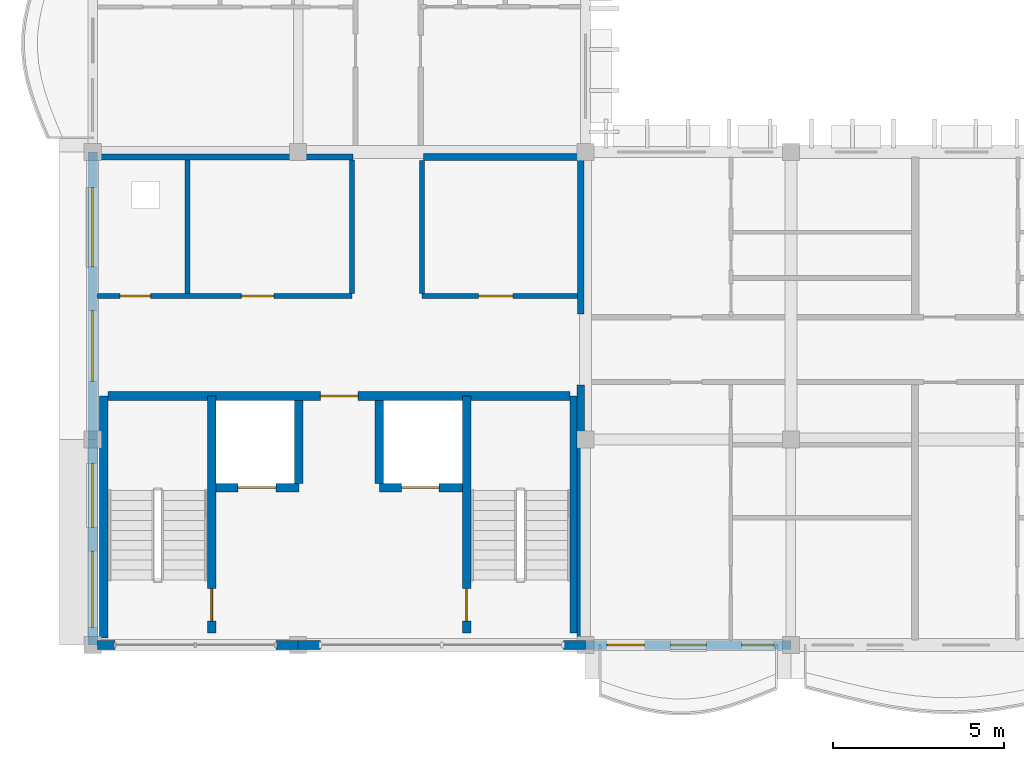
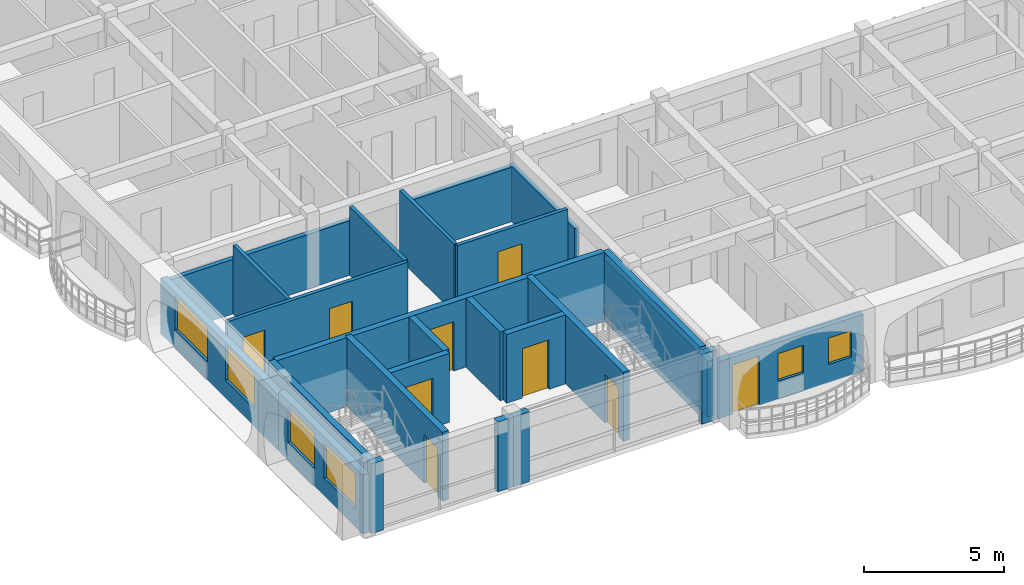
# One storey, part 22 of 68: 25 walls, 9 doors, 6 windows, 15 openings.
"""IFC4 building model written with IfcOpenShell, lengths in metres."""

import ifcopenshell
import ifcopenshell.guid

model = None  # the IFC model being written
_history = None  # IfcOwnerHistory: only IFC2X3 demands one
_inside = {}  # id of a spatial element -> (the spatial element, [elements in it])
_under = {}  # id of a project, library or spatial element -> (it, [spatial elements below it])
_declared = {}  # id of a project -> (the project, [libraries it declares])
_typed = {}  # id of a type object -> (the type object, [elements of that type])
_made_of = {}  # id of a material, layer set ... -> (it, [elements and type objects made of it])


def new_model(schema):
    """Start an empty IFC model of exactly this schema.

    Asked for "IFC4X3", IfcOpenShell would pick the latest addendum, in which some entities
    have other attributes; the version numbers below select the first issue.
    IFC2X3 requires an IfcOwnerHistory on every rooted entity: one is made here for all.
    """
    global model, _history
    if schema == "IFC4X3":
        model = ifcopenshell.file(schema_version=(4, 3, 0, 0))
    else:
        model = ifcopenshell.file(schema=schema)
    _inside.clear()
    _under.clear()
    _declared.clear()
    _typed.clear()
    _made_of.clear()
    _history = None
    if model.schema == "IFC2X3":
        org = make("IfcOrganization", Name="unknown")
        user = make(
            "IfcPersonAndOrganization",
            ThePerson=make("IfcPerson", FamilyName="unknown"),
            TheOrganization=org,
        )
        app = make(
            "IfcApplication",
            ApplicationDeveloper=org,
            Version="unknown",
            ApplicationFullName="unknown",
            ApplicationIdentifier="unknown",
        )
        _history = make(
            "IfcOwnerHistory",
            OwningUser=user,
            OwningApplication=app,
            ChangeAction="ADDED",
            CreationDate=0,
        )
    return model


def make(cls, **values):
    """One entity of the class cls with the attributes given. An attribute that is None is left unset."""
    return model.create_entity(
        cls, **{name: value for name, value in values.items() if value is not None}
    )


def rooted(cls, **values):
    """An entity with a GlobalId (a new one), such as an element, a storey or a relation."""
    return make(cls, GlobalId=ifcopenshell.guid.new(), OwnerHistory=_history, **values)


def si_unit(unit_type, name, prefix=None):
    """IfcSIUnit, for example si_unit("LENGTHUNIT", "METRE", prefix="MILLI")."""
    return make("IfcSIUnit", UnitType=unit_type, Prefix=prefix, Name=name)


def assignment(units):
    """IfcUnitAssignment: the units of a project."""
    return None if units is None else make("IfcUnitAssignment", Units=units)


def point(xyz):
    """IfcCartesianPoint."""
    return None if xyz is None else make("IfcCartesianPoint", Coordinates=xyz)


def direction(xyz):
    """IfcDirection."""
    return None if xyz is None else make("IfcDirection", DirectionRatios=xyz)


def frame(location, z_axis=None, x_axis=None):
    """IfcAxis2Placement3D, a coordinate frame: its origin and axes. An axis left out is left unset."""
    return make(
        "IfcAxis2Placement3D",
        Location=point(location),
        Axis=direction(z_axis),
        RefDirection=direction(x_axis),
    )


def frame_2d(location, x_axis=None):
    """IfcAxis2Placement2D, a coordinate frame in the plane: its origin and x axis."""
    return make(
        "IfcAxis2Placement2D", Location=point(location), RefDirection=direction(x_axis)
    )


def origin():
    """The frame at (0, 0, 0) with its axes left unset."""
    return frame((0.0, 0.0, 0.0))


def place(relative_to, where):
    """IfcLocalPlacement: puts the frame where relative to a parent placement (None: the world)."""
    return make(
        "IfcLocalPlacement", PlacementRelTo=relative_to, RelativePlacement=where
    )


def context(
    kind, dimensions, precision=None, world=None, true_north=None, identifier=None
):
    """IfcGeometricRepresentationContext, for example the 3D "Model" context."""
    return make(
        "IfcGeometricRepresentationContext",
        ContextIdentifier=identifier,
        ContextType=kind,
        CoordinateSpaceDimension=dimensions,
        Precision=precision,
        WorldCoordinateSystem=world,
        TrueNorth=true_north,
    )


def subcontext(parent, identifier, kind, view, scale=None):
    """IfcGeometricRepresentationSubContext, for example "Body" below "Model"."""
    return make(
        "IfcGeometricRepresentationSubContext",
        ContextIdentifier=identifier,
        ContextType=kind,
        ParentContext=parent,
        TargetScale=scale,
        TargetView=view,
    )


def project(units=None, contexts=None):
    """IfcProject with its units and contexts."""
    return rooted(
        "IfcProject",
        Name="project",
        RepresentationContexts=contexts,
        UnitsInContext=assignment(units),
    )


def spatial(cls, under=None, at=None, **own):
    """A site, building, storey or space (cls), placed at a placement, below another one or the project."""
    s = rooted(cls, ObjectPlacement=at, **own)
    if under is not None:
        _under.setdefault(under.id(), (under, []))[1].append(s)
    return s


def profile(cls, at=None, kind="AREA", **sizes):
    """A parametric profile (cls). Its sizes go by their IFC names, for example OverallWidth=200.0."""
    return make(cls, ProfileType=kind, Position=at, **sizes)


def rectangle(**sizes):
    """IfcRectangleProfileDef."""
    return profile("IfcRectangleProfileDef", **sizes)


def extrude(swept, where, along, depth):
    """IfcExtrudedAreaSolid: the profile swept, set in the frame where, extruded along a direction by depth."""
    return make(
        "IfcExtrudedAreaSolid",
        SweptArea=swept,
        Position=where,
        ExtrudedDirection=direction(along),
        Depth=depth,
    )


def shape(context_of_items, identifier, shape_type, items):
    """IfcShapeRepresentation: the items that make up one representation, for example the "Body"."""
    return make(
        "IfcShapeRepresentation",
        ContextOfItems=context_of_items,
        RepresentationIdentifier=identifier,
        RepresentationType=shape_type,
        Items=items,
    )


def material(Name=None, Category=None):
    """IfcMaterial."""
    return make("IfcMaterial", Name=Name, Category=Category)


def layer(
    of_material, thickness, ventilated=None, Name=None, Category=None, Priority=None
):
    """IfcMaterialLayer: one layer of a wall or slab, of a material (None: an air gap)."""
    return make(
        "IfcMaterialLayer",
        Material=of_material,
        LayerThickness=thickness,
        IsVentilated=ventilated,
        Name=Name,
        Category=Category,
        Priority=Priority,
    )


def layer_set(layers, Name=None):
    """IfcMaterialLayerSet."""
    return make("IfcMaterialLayerSet", MaterialLayers=layers, LayerSetName=Name)


def made_of(thing, what):
    """Note that an element or type object is made of a material, layer set ...; save() writes the relation."""
    if what is not None:
        _made_of.setdefault(what.id(), (what, []))[1].append(thing)
    return thing


def type_object(cls, material=None, **own):
    """A type object (cls), such as IfcWallType, which elements share."""
    return made_of(rooted(cls, **own), material)


def element(
    cls,
    number,
    at=None,
    inside=None,
    cuts=None,
    type_object=None,
    material=None,
    context=None,
    identifier="Body",
    shape_type=None,
    held_by="IfcProductDefinitionShape",
    body=None,
    shapes=None,
    **own,
):
    """One element of the class cls, such as IfcWall. Its Tag is "e" and its number.

    at: its placement. inside: the storey or other place that contains it. cuts: it is an
    opening in that element (IfcRelVoidsElement). A single representation is given by context,
    identifier, shape_type and body (its items); several are given by shapes. held_by: the class
    of the entity that holds the representations. save() writes the other relations.
    """
    e = rooted(cls, Tag="e%d" % number, ObjectPlacement=at, **own)
    if body is not None:
        shapes = [shape(context, identifier, shape_type, body)]
    if shapes is not None:
        e.Representation = make(held_by, Representations=shapes)
    if inside is not None:
        _inside.setdefault(inside.id(), (inside, []))[1].append(e)
    if cuts is not None:
        rooted(
            "IfcRelVoidsElement", RelatingBuildingElement=cuts, RelatedOpeningElement=e
        )
    if type_object is not None:
        _typed.setdefault(type_object.id(), (type_object, []))[1].append(e)
    return made_of(e, material)


def fill(opening, filler):
    """IfcRelFillsElement: the door or window that sits in an opening."""
    return rooted(
        "IfcRelFillsElement",
        RelatingOpeningElement=opening,
        RelatedBuildingElement=filler,
    )


def aggregate(whole, parts):
    """IfcRelAggregates: a whole, such as a stair, and the parts it consists of."""
    return rooted("IfcRelAggregates", RelatingObject=whole, RelatedObjects=parts)


def save(model, path):
    """Write the relations noted so far, then the file.

    IfcRelAggregates (storeys below a building ...), IfcRelContainedInSpatialStructure (elements
    in a storey), IfcRelDefinesByType, IfcRelAssociatesMaterial and IfcRelDeclares: one each for
    every whole, place, type object, material and project.
    """
    for whole, parts in _under.values():
        aggregate(whole, parts)
    for where, things in _inside.values():
        rooted(
            "IfcRelContainedInSpatialStructure",
            RelatedElements=things,
            RelatingStructure=where,
        )
    for kind, things in _typed.values():
        rooted("IfcRelDefinesByType", RelatedObjects=things, RelatingType=kind)
    for what, things in _made_of.values():
        rooted("IfcRelAssociatesMaterial", RelatedObjects=things, RelatingMaterial=what)
    for by, libraries in _declared.values():
        rooted("IfcRelDeclares", RelatingContext=by, RelatedDefinitions=libraries)
    model.write(path)


model = new_model("IFC4")

# Units and contexts
model_context = context("Model", 3, precision=1e-05, world=origin(), true_north=direction((0.0, 1.0)))
body_context = subcontext(model_context, "Body", "Model", "MODEL_VIEW")
ifc_project = project(units=[si_unit("LENGTHUNIT", "METRE"), si_unit("AREAUNIT", "SQUARE_METRE"), si_unit("VOLUMEUNIT", "CUBIC_METRE"), si_unit("PLANEANGLEUNIT", "RADIAN"), si_unit("MASSUNIT", "GRAM", prefix="KILO"), si_unit("THERMODYNAMICTEMPERATUREUNIT", "KELVIN")], contexts=[model_context])

# Site, building, storey
site_placement = place(None, origin())
site = spatial("IfcSite", under=ifc_project, at=site_placement, CompositionType="ELEMENT")
building_placement = place(site_placement, origin())
building = spatial("IfcBuilding", under=site, at=building_placement, Name="Thalorik Housing Commons", CompositionType="ELEMENT")
storey_placement = place(building_placement, frame((0.0, 0.0, 24.60009765625)))
storey = spatial("IfcBuildingStorey", under=building, at=storey_placement, Name="L07", CompositionType="ELEMENT", Elevation=24.60009765625)

# Wall, opening, door
ifc_material_1 = material(Name="Concrete C40/50", Category="concrete")
ifc_layer_1 = layer(ifc_material_1, 0.25, Name="Concrete C40/50", Category="concrete")
ifc_layer_set_1 = layer_set([ifc_layer_1], Name="Concrete C40/50")
wall_type_1 = type_object("IfcWallType", Name="ARC-WAL-CORE-250", PredefinedType="SHEAR", material=ifc_layer_set_1)
wall_1_placement = place(storey_placement, frame((11.875, 8.75, 0.0), z_axis=(0.0, 0.0, 1.0), x_axis=(0.0, 1.0, 0.0)))
wall_1 = element("IfcWall", 1, at=wall_1_placement, inside=storey, type_object=wall_type_1, Name="L07 Core C Stair 1 Shear Wall", PredefinedType="SHEAR", context=body_context, shape_type="SweptSolid", body=[
    extrude(rectangle(XDim=6.925048828125, YDim=0.25, at=frame_2d((3.46240234375, 0.0))), origin(), (0.0, 0.0, 1.0), 3.0),
])
opening_1_placement = place(wall_1_placement, frame((0.35009765625, 0.0, 0.0)))
opening_1 = element("IfcOpeningElement", 2, at=opening_1_placement, cuts=wall_1, Name="Opening ID-0313", PredefinedType="OPENING", context=body_context, shape_type="SweptSolid", body=[
    extrude(rectangle(XDim=0.949951171875, YDim=2.10009765625, at=frame_2d((0.47509765625, 1.050048828125))), frame((0.0, 0.135009765625, 0.0), z_axis=(0.0, -1.0, 0.0), x_axis=(1.0, 0.0, 0.0)), (0.0, 0.0, 1.0), 0.27001953125),
])
ifc_material_2 = material(Name="Steel S355", Category="steel")
door_type_1 = type_object("IfcDoorType", Name="ARC-DR-FD60-950", OperationType="NOTDEFINED", PredefinedType="DOOR", material=ifc_material_2)
door_1_placement = place(opening_1_placement, origin())
door_1 = element("IfcDoor", 3, at=door_1_placement, inside=storey, type_object=door_type_1, Name="L07 Stair ST-C1 Fire Door", OperationType="SINGLE_SWING_RIGHT", OverallHeight=2.10009765625, OverallWidth=0.949951171875, PredefinedType="DOOR", context=body_context, shape_type="SweptSolid", body=[
    extrude(rectangle(XDim=0.949951171875, YDim=2.10009765625, at=frame_2d((0.47509765625, 1.050048828125))), frame((0.0, 0.02490234375, 0.0), z_axis=(0.0, -1.0, 0.0), x_axis=(1.0, 0.0, 0.0)), (0.0, 0.0, 1.0), 0.050048828125),
])
fill(opening_1, door_1)

# Walls
wall_2_placement = place(storey_placement, frame((8.72509765625, 8.60009765625, 0.0), z_axis=(0.0, 0.0, 1.0), x_axis=(0.0, 1.0, 0.0)))
element("IfcWall", 4, at=wall_2_placement, inside=storey, type_object=wall_type_1, Name="L07 Core C Stair 1 Outer Shear Wall", PredefinedType="SHEAR", context=body_context, shape_type="SweptSolid", body=[
    extrude(rectangle(XDim=7.074951171875, YDim=0.25, at=frame_2d((3.53759765625, 0.0))), origin(), (0.0, 0.0, 1.0), 3.0),
])
wall_3_placement = place(storey_placement, frame((22.47509765625, 8.75, 0.0), z_axis=(0.0, 0.0, 1.0), x_axis=(0.0, 1.0, 0.0)))
element("IfcWall", 5, at=wall_3_placement, inside=storey, type_object=wall_type_1, Name="L07 Core C Stair 2 Outer Shear Wall", PredefinedType="SHEAR", context=body_context, shape_type="SweptSolid", body=[
    extrude(rectangle(XDim=6.925048828125, YDim=0.25, at=frame_2d((3.46240234375, 0.0))), origin(), (0.0, 0.0, 1.0), 3.0),
])

# Wall, opening, door
wall_4_placement = place(storey_placement, frame((19.324951171875, 8.75, 0.0), z_axis=(0.0, 0.0, 1.0), x_axis=(0.0, 1.0, 0.0)))
wall_4 = element("IfcWall", 6, at=wall_4_placement, inside=storey, type_object=wall_type_1, Name="L07 Core C Stair 2 Shear Wall", PredefinedType="SHEAR", context=body_context, shape_type="SweptSolid", body=[
    extrude(rectangle(XDim=6.925048828125, YDim=0.25, at=frame_2d((3.46240234375, 0.0))), origin(), (0.0, 0.0, 1.0), 3.0),
])
opening_2_placement = place(wall_4_placement, frame((0.35009765625, 0.0, 0.0)))
opening_2 = element("IfcOpeningElement", 7, at=opening_2_placement, cuts=wall_4, Name="Opening ID-0314", PredefinedType="OPENING", context=body_context, shape_type="SweptSolid", body=[
    extrude(rectangle(XDim=0.949951171875, YDim=2.10009765625, at=frame_2d((0.47509765625, 1.050048828125))), frame((0.0, 0.135009765625, 0.0), z_axis=(0.0, -1.0, 0.0), x_axis=(1.0, 0.0, 0.0)), (0.0, 0.0, 1.0), 0.27001953125),
])
door_2_placement = place(opening_2_placement, origin())
door_2 = element("IfcDoor", 8, at=door_2_placement, inside=storey, type_object=door_type_1, Name="L07 Stair ST-C2 Fire Door", OperationType="SINGLE_SWING_LEFT", OverallHeight=2.10009765625, OverallWidth=0.949951171875, PredefinedType="DOOR", context=body_context, shape_type="SweptSolid", body=[
    extrude(rectangle(XDim=0.949951171875, YDim=2.10009765625, at=frame_2d((0.47509765625, 1.050048828125))), frame((0.0, 0.02490234375, 0.0), z_axis=(0.0, -1.0, 0.0), x_axis=(1.0, 0.0, 0.0)), (0.0, 0.0, 1.0), 0.050048828125),
])
fill(opening_2, door_2)

wall_5_placement = place(storey_placement, frame((12.0, 13.0, 0.0), z_axis=(0.0, 0.0, 1.0), x_axis=(1.0, 0.0, 0.0)))
wall_5 = element("IfcWall", 9, at=wall_5_placement, inside=storey, type_object=wall_type_1, Name="L07 Lift LF-C1 Front Shaft Wall", PredefinedType="SHEAR", context=body_context, shape_type="SweptSolid", body=[
    extrude(rectangle(XDim=2.425048828125, YDim=0.25, at=frame_2d((1.21240234375, 0.0))), origin(), (0.0, 0.0, 1.0), 3.0),
])
opening_3_placement = place(wall_5_placement, frame((0.64990234375, 0.0, 0.0)))
opening_3 = element("IfcOpeningElement", 10, at=opening_3_placement, cuts=wall_5, Name="Opening LD-LF-C1-L07", PredefinedType="OPENING", context=body_context, shape_type="SweptSolid", body=[
    extrude(rectangle(XDim=1.10009765625, YDim=2.14990234375, at=frame_2d((0.550048828125, 1.074951171875))), frame((0.0, 0.135009765625, 0.0), z_axis=(0.0, -1.0, 0.0), x_axis=(1.0, 0.0, 0.0)), (0.0, 0.0, 1.0), 0.27001953125),
])
door_type_2 = type_object("IfcDoorType", Name="ARC-DR-LIFT-1100", OperationType="NOTDEFINED", PredefinedType="DOOR", material=ifc_material_2)
door_3_placement = place(opening_3_placement, origin())
door_3 = element("IfcDoor", 11, at=door_3_placement, inside=storey, type_object=door_type_2, Name="L07 Lift LF-C1 Landing Door", OperationType="SLIDING_TO_LEFT", OverallHeight=2.14990234375, OverallWidth=1.10009765625, PredefinedType="DOOR", context=body_context, shape_type="SweptSolid", body=[
    extrude(rectangle(XDim=1.10009765625, YDim=2.14990234375, at=frame_2d((0.550048828125, 1.074951171875))), frame((0.0, 0.02490234375, 0.0), z_axis=(0.0, -1.0, 0.0), x_axis=(1.0, 0.0, 0.0)), (0.0, 0.0, 1.0), 0.050048828125),
])
fill(opening_3, door_3)

wall_6_placement = place(storey_placement, frame((16.77490234375, 13.0, 0.0), z_axis=(0.0, 0.0, 1.0), x_axis=(1.0, 0.0, 0.0)))
wall_6 = element("IfcWall", 12, at=wall_6_placement, inside=storey, type_object=wall_type_1, Name="L07 Lift LP-C2 Front Shaft Wall", PredefinedType="SHEAR", context=body_context, shape_type="SweptSolid", body=[
    extrude(rectangle(XDim=2.425048828125, YDim=0.25, at=frame_2d((1.21240234375, 0.0))), origin(), (0.0, 0.0, 1.0), 3.0),
])
opening_4_placement = place(wall_6_placement, frame((0.64990234375, 0.0, 0.0)))
opening_4 = element("IfcOpeningElement", 13, at=opening_4_placement, cuts=wall_6, Name="Opening LD-LP-C2-L07", PredefinedType="OPENING", context=body_context, shape_type="SweptSolid", body=[
    extrude(rectangle(XDim=1.10009765625, YDim=2.14990234375, at=frame_2d((0.550048828125, 1.074951171875))), frame((0.0, 0.135009765625, 0.0), z_axis=(0.0, -1.0, 0.0), x_axis=(1.0, 0.0, 0.0)), (0.0, 0.0, 1.0), 0.27001953125),
])
door_4_placement = place(opening_4_placement, origin())
door_4 = element("IfcDoor", 14, at=door_4_placement, inside=storey, type_object=door_type_2, Name="L07 Lift LP-C2 Landing Door", OperationType="SLIDING_TO_LEFT", OverallHeight=2.14990234375, OverallWidth=1.10009765625, PredefinedType="DOOR", context=body_context, shape_type="SweptSolid", body=[
    extrude(rectangle(XDim=1.10009765625, YDim=2.14990234375, at=frame_2d((0.550048828125, 1.074951171875))), frame((0.0, 0.02490234375, 0.0), z_axis=(0.0, -1.0, 0.0), x_axis=(1.0, 0.0, 0.0)), (0.0, 0.0, 1.0), 0.050048828125),
])
fill(opening_4, door_4)

# Walls
for number, where, z_axis, x_axis, name in (
    (15, (14.425048828125, 13.125, 0.0), (0.0, 0.0, 1.0), (0.0, 1.0, 0.0), "L07 Lift 1 Cheek Wall"),
    (16, (16.77490234375, 13.125, 0.0), (0.0, 0.0, 1.0), (0.0, 1.0, 0.0), "L07 Lift 2 Cheek Wall"),
):
    element("IfcWall", number, at=place(storey_placement, frame(where, z_axis=z_axis, x_axis=x_axis)), inside=storey, type_object=wall_type_1, Name=name, PredefinedType="SHEAR", context=body_context, shape_type="SweptSolid", body=[
        extrude(rectangle(XDim=2.425048828125, YDim=0.25, at=frame_2d((1.21240234375, 0.0))), origin(), (0.0, 0.0, 1.0), 3.0),
    ])

# Wall, opening, door
wall_7_placement = place(storey_placement, frame((8.85009765625, 15.675048828125, 0.0), z_axis=(0.0, 0.0, 1.0), x_axis=(1.0, 0.0, 0.0)))
wall_7 = element("IfcWall", 17, at=wall_7_placement, inside=storey, type_object=wall_type_1, Name="L07 Core C Spine Shear Wall", PredefinedType="SHEAR", context=body_context, shape_type="SweptSolid", body=[
    extrude(rectangle(XDim=13.5, YDim=0.25, at=frame_2d((6.75, 0.0))), origin(), (0.0, 0.0, 1.0), 3.0),
])
opening_5_placement = place(wall_7_placement, frame((6.199951171875, 0.0, 0.0)))
opening_5 = element("IfcOpeningElement", 18, at=opening_5_placement, cuts=wall_7, Name="Opening ID-0317", PredefinedType="OPENING", context=body_context, shape_type="SweptSolid", body=[
    extrude(rectangle(XDim=1.10009765625, YDim=2.14990234375, at=frame_2d((0.550048828125, 1.074951171875))), frame((0.0, 0.135009765625, 0.0), z_axis=(0.0, -1.0, 0.0), x_axis=(1.0, 0.0, 0.0)), (0.0, 0.0, 1.0), 0.27001953125),
])
door_type_3 = type_object("IfcDoorType", Name="ARC-DR-FD60-1100", OperationType="NOTDEFINED", PredefinedType="DOOR", material=ifc_material_2)
door_5_placement = place(opening_5_placement, origin())
door_5 = element("IfcDoor", 19, at=door_5_placement, inside=storey, type_object=door_type_3, Name="L07 Core C Lobby Fire Door", OperationType="SINGLE_SWING_RIGHT", OverallHeight=2.14990234375, OverallWidth=1.10009765625, PredefinedType="DOOR", context=body_context, shape_type="SweptSolid", body=[
    extrude(rectangle(XDim=1.10009765625, YDim=2.14990234375, at=frame_2d((0.550048828125, 1.074951171875))), frame((0.0, 0.02490234375, 0.0), z_axis=(0.0, -1.0, 0.0), x_axis=(1.0, 0.0, 0.0)), (0.0, 0.0, 1.0), 0.050048828125),
])
fill(opening_5, door_5)

# Wall, openings, windows
ifc_material_3 = material(Name="White precast concrete C40/50", Category="concrete")
ifc_layer_2 = layer(ifc_material_3, 0.27490234375, Name="White precast concrete C40/50", Category="concrete")
ifc_layer_set_2 = layer_set([ifc_layer_2], Name="White precast concrete C40/50")
wall_type_2 = type_object("IfcWallType", Name="ARC-WAL-EXT-275", PredefinedType="STANDARD", material=ifc_layer_set_2)
wall_8_placement = place(storey_placement, frame((8.39990234375, 22.800048828125, 0.0), z_axis=(0.0, 0.0, 1.0), x_axis=(0.0, -1.0, 0.0)))
wall_8 = element("IfcWall", 20, at=wall_8_placement, inside=storey, type_object=wall_type_2, Name="L07 Exterior Wall WAL-EXT-L07-C-1029", PredefinedType="STANDARD", context=body_context, shape_type="SweptSolid", body=[
    extrude(rectangle(XDim=8.400146484375, YDim=0.27490234375, at=frame_2d((4.2001953125, 0.0))), origin(), (0.0, 0.0, 1.0), 2.4248046875),
])
opening_6_placement = place(wall_8_placement, frame((1.034912109375, 0.0, 0.780029296875)))
opening_6 = element("IfcOpeningElement", 21, at=opening_6_placement, cuts=wall_8, Name="Opening W-68", PredefinedType="OPENING", context=body_context, shape_type="SweptSolid", body=[
    extrude(rectangle(XDim=2.320068359375, YDim=1.5, at=frame_2d((1.16015625, 0.75))), frame((0.0, 0.1474609375, 0.0), z_axis=(0.0, -1.0, 0.0), x_axis=(1.0, 0.0, 0.0)), (0.0, 0.0, 1.0), 0.294921875),
])
opening_7_placement = place(wall_8_placement, frame((4.62255859375, 0.0, 0.780029296875)))
opening_7 = element("IfcOpeningElement", 22, at=opening_7_placement, cuts=wall_8, Name="Opening W-63", PredefinedType="OPENING", context=body_context, shape_type="SweptSolid", body=[
    extrude(rectangle(XDim=2.080078125, YDim=1.52001953125, at=frame_2d((1.0400390625, 0.760009765625))), frame((0.0, 0.1474609375, 0.0), z_axis=(0.0, -1.0, 0.0), x_axis=(1.0, 0.0, 0.0)), (0.0, 0.0, 1.0), 0.294921875),
])
ifc_material_4 = material(Name="Anodised aluminium and solar-control low-E glass", Category="aluminium")
window_type_1 = type_object("IfcWindowType", Name="ARC-WIN-63", PartitioningType="DOUBLE_PANEL_VERTICAL", PredefinedType="WINDOW", material=ifc_material_4)
window_1_placement = place(opening_7_placement, origin())
window_1 = element("IfcWindow", 23, at=window_1_placement, inside=storey, type_object=window_type_1, Name="L07 Facade Window 1904", OverallHeight=1.52001953125, OverallWidth=2.080078125, PartitioningType="DOUBLE_PANEL_VERTICAL", PredefinedType="WINDOW", context=body_context, shape_type="SweptSolid", body=[
    extrude(rectangle(XDim=2.080078125, YDim=1.52001953125, at=frame_2d((1.0400390625, 0.760009765625))), frame((0.0, 0.030029296875, 0.0), z_axis=(0.0, -1.0, 0.0), x_axis=(1.0, 0.0, 0.0)), (0.0, 0.0, 1.0), 0.06005859375),
])
fill(opening_7, window_1)
window_type_2 = type_object("IfcWindowType", Name="ARC-WIN-68", PartitioningType="DOUBLE_PANEL_VERTICAL", PredefinedType="WINDOW", material=ifc_material_4)
window_2_placement = place(opening_6_placement, origin())
window_2 = element("IfcWindow", 24, at=window_2_placement, inside=storey, type_object=window_type_2, Name="L07 Facade Window 1903", OverallHeight=1.5, OverallWidth=2.320068359375, PartitioningType="DOUBLE_PANEL_VERTICAL", PredefinedType="WINDOW", context=body_context, shape_type="SweptSolid", body=[
    extrude(rectangle(XDim=2.320068359375, YDim=1.5, at=frame_2d((1.16015625, 0.75))), frame((0.0, 0.030029296875, 0.0), z_axis=(0.0, -1.0, 0.0), x_axis=(1.0, 0.0, 0.0)), (0.0, 0.0, 1.0), 0.06005859375),
])
fill(opening_6, window_2)

wall_9_placement = place(storey_placement, frame((8.39990234375, 14.39990234375, 0.0), z_axis=(0.0, 0.0, 1.0), x_axis=(0.0, -1.0, 0.0)))
wall_9 = element("IfcWall", 25, at=wall_9_placement, inside=storey, type_object=wall_type_2, Name="L07 Exterior Wall WAL-EXT-L07-C-1030", PredefinedType="STANDARD", context=body_context, shape_type="SweptSolid", body=[
    extrude(rectangle(XDim=6.0, YDim=0.27490234375, at=frame_2d((3.0, 0.0))), origin(), (0.0, 0.0, 1.0), 2.574951171875),
])
opening_8_placement = place(wall_9_placement, frame((0.68994140625, 0.0, 0.780029296875)))
opening_8 = element("IfcOpeningElement", 26, at=opening_8_placement, cuts=wall_9, Name="Opening W-59", PredefinedType="OPENING", context=body_context, shape_type="SweptSolid", body=[
    extrude(rectangle(XDim=1.8798828125, YDim=1.52001953125, at=frame_2d((0.93994140625, 0.760009765625))), frame((0.0, 0.1474609375, 0.0), z_axis=(0.0, -1.0, 0.0), x_axis=(1.0, 0.0, 0.0)), (0.0, 0.0, 1.0), 0.294921875),
])
opening_9_placement = place(wall_9_placement, frame((3.25, 0.0, 0.780029296875)))
opening_9 = element("IfcOpeningElement", 27, at=opening_9_placement, cuts=wall_9, Name="Opening W-66", PredefinedType="OPENING", context=body_context, shape_type="SweptSolid", body=[
    extrude(rectangle(XDim=2.239990234375, YDim=1.52001953125, at=frame_2d((1.1201171875, 0.760009765625))), frame((0.0, 0.1474609375, 0.0), z_axis=(0.0, -1.0, 0.0), x_axis=(1.0, 0.0, 0.0)), (0.0, 0.0, 1.0), 0.294921875),
])
window_type_3 = type_object("IfcWindowType", Name="ARC-WIN-59", PartitioningType="DOUBLE_PANEL_VERTICAL", PredefinedType="WINDOW", material=ifc_material_4)
window_3_placement = place(opening_8_placement, origin())
window_3 = element("IfcWindow", 28, at=window_3_placement, inside=storey, type_object=window_type_3, Name="L07 Facade Window 1905", OverallHeight=1.52001953125, OverallWidth=1.8798828125, PartitioningType="DOUBLE_PANEL_VERTICAL", PredefinedType="WINDOW", context=body_context, shape_type="SweptSolid", body=[
    extrude(rectangle(XDim=1.8798828125, YDim=1.52001953125, at=frame_2d((0.93994140625, 0.760009765625))), frame((0.0, 0.030029296875, 0.0), z_axis=(0.0, -1.0, 0.0), x_axis=(1.0, 0.0, 0.0)), (0.0, 0.0, 1.0), 0.06005859375),
])
fill(opening_8, window_3)
window_type_4 = type_object("IfcWindowType", Name="ARC-WIN-66", PartitioningType="DOUBLE_PANEL_VERTICAL", PredefinedType="WINDOW", material=ifc_material_4)
window_4_placement = place(opening_9_placement, origin())
window_4 = element("IfcWindow", 29, at=window_4_placement, inside=storey, type_object=window_type_4, Name="L07 Facade Window 1906", OverallHeight=1.52001953125, OverallWidth=2.239990234375, PartitioningType="DOUBLE_PANEL_VERTICAL", PredefinedType="WINDOW", context=body_context, shape_type="SweptSolid", body=[
    extrude(rectangle(XDim=2.239990234375, YDim=1.52001953125, at=frame_2d((1.1201171875, 0.760009765625))), frame((0.0, 0.030029296875, 0.0), z_axis=(0.0, -1.0, 0.0), x_axis=(1.0, 0.0, 0.0)), (0.0, 0.0, 1.0), 0.06005859375),
])
fill(opening_9, window_4)

# Walls
wall_10_placement = place(storey_placement, frame((8.53955078125, 8.39990234375, 0.0), z_axis=(0.0, 0.0, 1.0), x_axis=(1.0, 0.0, 0.0)))
element("IfcWall", 30, at=wall_10_placement, inside=storey, type_object=wall_type_2, Name="L07 Exterior Wall WAL-PIERL-L07-C-1031", PredefinedType="STANDARD", context=body_context, shape_type="SweptSolid", body=[
    extrude(rectangle(XDim=0.510498046875, YDim=0.27490234375, at=frame_2d((0.25537109375, 0.0))), origin(), (0.0, 0.0, 1.0), 3.039794921875),
])
wall_11_placement = place(storey_placement, frame((13.75, 8.39990234375, 0.0), z_axis=(0.0, 0.0, 1.0), x_axis=(1.0, 0.0, 0.0)))
element("IfcWall", 31, at=wall_11_placement, inside=storey, type_object=wall_type_2, Name="L07 Exterior Wall WAL-PIERR-L07-C-1031", PredefinedType="STANDARD", context=body_context, shape_type="SweptSolid", body=[
    extrude(rectangle(XDim=0.64990234375, YDim=0.27490234375, at=frame_2d((0.324951171875, 0.0))), origin(), (0.0, 0.0, 1.0), 3.039794921875),
])
for number, where, z_axis, x_axis, name in (
    (32, (14.39990234375, 8.39990234375, 0.0), (0.0, 0.0, 1.0), (1.0, 0.0, 0.0), "L07 Exterior Wall WAL-PIERL-L07-C-1032"),
    (33, (22.14990234375, 8.39990234375, 0.0), (0.0, 0.0, 1.0), (1.0, 0.0, 0.0), "L07 Exterior Wall WAL-PIERR-L07-C-1032"),
):
    element("IfcWall", number, at=place(storey_placement, frame(where, z_axis=z_axis, x_axis=x_axis)), inside=storey, type_object=wall_type_2, Name=name, PredefinedType="STANDARD", context=body_context, shape_type="SweptSolid", body=[
        extrude(rectangle(XDim=0.650146484375, YDim=0.27490234375, at=frame_2d((0.3251953125, 0.0))), origin(), (0.0, 0.0, 1.0), 3.039794921875),
    ])

# Wall, openings, door, windows
wall_12_placement = place(storey_placement, frame((22.800048828125, 8.39990234375, 0.0), z_axis=(0.0, 0.0, 1.0), x_axis=(1.0, 0.0, 0.0)))
wall_12 = element("IfcWall", 34, at=wall_12_placement, inside=storey, type_object=wall_type_2, Name="L07 Exterior Wall WAL-EXT-L07-C-1033", PredefinedType="STANDARD", context=body_context, shape_type="SweptSolid", body=[
    extrude(rectangle(XDim=6.0, YDim=0.27490234375, at=frame_2d((3.0, 0.0))), origin(), (0.0, 0.0, 1.0), 2.474853515625),
])
opening_10_placement = place(wall_12_placement, frame((0.6201171875, 0.0, 0.0)))
opening_10 = element("IfcOpeningElement", 35, at=opening_10_placement, cuts=wall_12, Name="Opening ED-0343", PredefinedType="OPENING", context=body_context, shape_type="SweptSolid", body=[
    extrude(rectangle(XDim=1.10009765625, YDim=2.14990234375, at=frame_2d((0.550048828125, 1.074951171875))), frame((0.0, 0.1474609375, 0.0), z_axis=(0.0, -1.0, 0.0), x_axis=(1.0, 0.0, 0.0)), (0.0, 0.0, 1.0), 0.294921875),
])
opening_11_placement = place(wall_12_placement, frame((2.482421875, 0.0, 0.780029296875)))
opening_11 = element("IfcOpeningElement", 36, at=opening_11_placement, cuts=wall_12, Name="Opening W-44", PredefinedType="OPENING", context=body_context, shape_type="SweptSolid", body=[
    extrude(rectangle(XDim=1.050048828125, YDim=1.199951171875, at=frame_2d((0.52490234375, 0.60009765625))), frame((0.0, 0.1474609375, 0.0), z_axis=(0.0, -1.0, 0.0), x_axis=(1.0, 0.0, 0.0)), (0.0, 0.0, 1.0), 0.294921875),
])
opening_12_placement = place(wall_12_placement, frame((4.552490234375, 0.0, 0.780029296875)))
opening_12 = element("IfcOpeningElement", 37, at=opening_12_placement, cuts=wall_12, Name="Opening W-43", PredefinedType="OPENING", context=body_context, shape_type="SweptSolid", body=[
    extrude(rectangle(XDim=0.949951171875, YDim=1.14990234375, at=frame_2d((0.47509765625, 0.574951171875))), frame((0.0, 0.1474609375, 0.0), z_axis=(0.0, -1.0, 0.0), x_axis=(1.0, 0.0, 0.0)), (0.0, 0.0, 1.0), 0.294921875),
])
ifc_material_5 = material(Name="Anodised aluminium and laminated safety glass", Category="aluminium")
door_type_4 = type_object("IfcDoorType", Name="ARC-DR-BAL-1100", OperationType="NOTDEFINED", PredefinedType="DOOR", material=ifc_material_5)
door_6_placement = place(opening_10_placement, frame((1.10009765625, 0.0, 0.0), z_axis=(0.0, 0.0, 1.0), x_axis=(-1.0, 0.0, 0.0)))
door_6 = element("IfcDoor", 38, at=door_6_placement, inside=storey, type_object=door_type_4, Name="L07 Block C Balcony Glazed Door", OperationType="SINGLE_SWING_RIGHT", OverallHeight=2.14990234375, OverallWidth=1.10009765625, PredefinedType="DOOR", context=body_context, shape_type="SweptSolid", body=[
    extrude(rectangle(XDim=1.10009765625, YDim=2.14990234375, at=frame_2d((0.550048828125, 1.074951171875))), frame((0.0, 0.02490234375, 0.0), z_axis=(0.0, -1.0, 0.0), x_axis=(1.0, 0.0, 0.0)), (0.0, 0.0, 1.0), 0.050048828125),
])
fill(opening_10, door_6)
window_type_5 = type_object("IfcWindowType", Name="ARC-WIN-43", PartitioningType="SINGLE_PANEL", PredefinedType="WINDOW", material=ifc_material_4)
window_5_placement = place(opening_12_placement, origin())
window_5 = element("IfcWindow", 39, at=window_5_placement, inside=storey, type_object=window_type_5, Name="L07 Facade Window 1908", OverallHeight=1.14990234375, OverallWidth=0.949951171875, PartitioningType="SINGLE_PANEL", PredefinedType="WINDOW", context=body_context, shape_type="SweptSolid", body=[
    extrude(rectangle(XDim=0.949951171875, YDim=1.14990234375, at=frame_2d((0.47509765625, 0.574951171875))), frame((0.0, 0.030029296875, 0.0), z_axis=(0.0, -1.0, 0.0), x_axis=(1.0, 0.0, 0.0)), (0.0, 0.0, 1.0), 0.06005859375),
])
fill(opening_12, window_5)
window_type_6 = type_object("IfcWindowType", Name="ARC-WIN-44", PartitioningType="SINGLE_PANEL", PredefinedType="WINDOW", material=ifc_material_4)
window_6_placement = place(opening_11_placement, origin())
window_6 = element("IfcWindow", 40, at=window_6_placement, inside=storey, type_object=window_type_6, Name="L07 Facade Window 1907", OverallHeight=1.199951171875, OverallWidth=1.050048828125, PartitioningType="SINGLE_PANEL", PredefinedType="WINDOW", context=body_context, shape_type="SweptSolid", body=[
    extrude(rectangle(XDim=1.050048828125, YDim=1.199951171875, at=frame_2d((0.52490234375, 0.60009765625))), frame((0.0, 0.030029296875, 0.0), z_axis=(0.0, -1.0, 0.0), x_axis=(1.0, 0.0, 0.0)), (0.0, 0.0, 1.0), 0.06005859375),
])
fill(opening_11, window_6)

# Walls
ifc_material_6 = material(Name="Ceramic masonry partition wall", Category="masonry")
ifc_layer_3 = layer(ifc_material_6, 0.14794921875, Name="Ceramic masonry partition wall", Category="masonry")
ifc_layer_set_3 = layer_set([ifc_layer_3], Name="Ceramic masonry partition wall")
wall_type_3 = type_object("IfcWallType", Name="ARC-WAL-PART-150", PredefinedType="PARTITIONING", material=ifc_layer_set_3)
for number, where, z_axis, x_axis, name in (
    (41, (11.175048828125, 18.676025390625, 0.0), (0.0, 0.0, 1.0), (0.0, 1.0, 0.0), "Riser Wall"),
    (42, (15.97509765625, 18.676025390625, 0.0), (0.0, 0.0, 1.0), (0.0, 1.0, 0.0), "Core Stem West Cheek Wall"),
):
    element("IfcWall", number, at=place(storey_placement, frame(where, z_axis=z_axis, x_axis=x_axis)), inside=storey, type_object=wall_type_3, Name=name, PredefinedType="PARTITIONING", context=body_context, shape_type="SweptSolid", body=[
        extrude(rectangle(XDim=3.889404296875, YDim=0.14794921875, at=frame_2d((1.94482421875, 0.0))), origin(), (0.0, 0.0, 1.0), 3.0),
    ])
wall_13_placement = place(storey_placement, frame((18.02490234375, 18.676025390625, 0.0), z_axis=(0.0, 0.0, 1.0), x_axis=(0.0, 1.0, 0.0)))
element("IfcWall", 43, at=wall_13_placement, inside=storey, type_object=wall_type_3, Name="Core Stem East Cheek Wall", PredefinedType="PARTITIONING", context=body_context, shape_type="SweptSolid", body=[
    extrude(rectangle(XDim=3.882080078125, YDim=0.14794921875, at=frame_2d((1.94091796875, 0.0))), origin(), (0.0, 0.0, 1.0), 3.0),
])

# Wall, openings, doors
wall_14_placement = place(storey_placement, frame((8.5400390625, 18.60009765625, 0.0), z_axis=(0.0, 0.0, 1.0), x_axis=(1.0, 0.0, 0.0)))
wall_14 = element("IfcWall", 44, at=wall_14_placement, inside=storey, type_object=wall_type_3, Name="L07 Core C West Corridor Partition", PredefinedType="PARTITIONING", context=body_context, shape_type="SweptSolid", body=[
    extrude(rectangle(XDim=7.43505859375, YDim=0.14794921875, at=frame_2d((3.717529296875, 0.0))), origin(), (0.0, 0.0, 1.0), 3.0),
])
opening_13_placement = place(wall_14_placement, frame((0.64990234375, 0.0, 0.0)))
opening_13 = element("IfcOpeningElement", 45, at=opening_13_placement, cuts=wall_14, Name="Opening ID-0318", PredefinedType="OPENING", context=body_context, shape_type="SweptSolid", body=[
    extrude(rectangle(XDim=0.89990234375, YDim=2.10009765625, at=frame_2d((0.449951171875, 1.050048828125))), frame((0.0, 0.083984375, 0.0), z_axis=(0.0, -1.0, 0.0), x_axis=(1.0, 0.0, 0.0)), (0.0, 0.0, 1.0), 0.16796875),
])
opening_14_placement = place(wall_14_placement, frame((4.199951171875, 0.0, 0.0)))
opening_14 = element("IfcOpeningElement", 46, at=opening_14_placement, cuts=wall_14, Name="Opening ID-0319", PredefinedType="OPENING", context=body_context, shape_type="SweptSolid", body=[
    extrude(rectangle(XDim=0.949951171875, YDim=2.10009765625, at=frame_2d((0.47509765625, 1.050048828125))), frame((0.0, 0.083984375, 0.0), z_axis=(0.0, -1.0, 0.0), x_axis=(1.0, 0.0, 0.0)), (0.0, 0.0, 1.0), 0.16796875),
])
door_type_5 = type_object("IfcDoorType", Name="ARC-DR-FD60-900", OperationType="NOTDEFINED", PredefinedType="DOOR", material=ifc_material_2)
door_7_placement = place(opening_13_placement, origin())
door_7 = element("IfcDoor", 47, at=door_7_placement, inside=storey, type_object=door_type_5, Name="Electrical Riser Door", OperationType="SINGLE_SWING_LEFT", OverallHeight=2.10009765625, OverallWidth=0.89990234375, PredefinedType="DOOR", context=body_context, shape_type="SweptSolid", body=[
    extrude(rectangle(XDim=0.89990234375, YDim=2.10009765625, at=frame_2d((0.449951171875, 1.050048828125))), frame((0.0, 0.02490234375, 0.0), z_axis=(0.0, -1.0, 0.0), x_axis=(1.0, 0.0, 0.0)), (0.0, 0.0, 1.0), 0.050048828125),
])
fill(opening_13, door_7)
ifc_material_7 = material(Name="Engineered oak timber", Category="wood")
door_type_6 = type_object("IfcDoorType", Name="ARC-DR-INT-950", OperationType="NOTDEFINED", PredefinedType="DOOR", material=ifc_material_7)
door_8_placement = place(opening_14_placement, origin())
door_8 = element("IfcDoor", 48, at=door_8_placement, inside=storey, type_object=door_type_6, Name="Accessible Bathroom Door", OperationType="SINGLE_SWING_RIGHT", OverallHeight=2.10009765625, OverallWidth=0.949951171875, PredefinedType="DOOR", context=body_context, shape_type="SweptSolid", body=[
    extrude(rectangle(XDim=0.949951171875, YDim=2.10009765625, at=frame_2d((0.47509765625, 1.050048828125))), frame((0.0, 0.02490234375, 0.0), z_axis=(0.0, -1.0, 0.0), x_axis=(1.0, 0.0, 0.0)), (0.0, 0.0, 1.0), 0.050048828125),
])
fill(opening_14, door_8)

# Wall, opening, door
wall_15_placement = place(storey_placement, frame((18.02490234375, 18.60009765625, 0.0), z_axis=(0.0, 0.0, 1.0), x_axis=(1.0, 0.0, 0.0)))
wall_15 = element("IfcWall", 49, at=wall_15_placement, inside=storey, type_object=wall_type_3, Name="L07 Core C East Corridor Partition", PredefinedType="PARTITIONING", context=body_context, shape_type="SweptSolid", body=[
    extrude(rectangle(XDim=4.54052734375, YDim=0.14794921875, at=frame_2d((2.270263671875, 0.0))), origin(), (0.0, 0.0, 1.0), 3.0),
])
opening_15_placement = place(wall_15_placement, frame((1.64990234375, 0.0, 0.0)))
opening_15 = element("IfcOpeningElement", 50, at=opening_15_placement, cuts=wall_15, Name="Opening ID-0320", PredefinedType="OPENING", context=body_context, shape_type="SweptSolid", body=[
    extrude(rectangle(XDim=1.0, YDim=2.14990234375, at=frame_2d((0.5, 1.074951171875))), frame((0.0, 0.083984375, 0.0), z_axis=(0.0, -1.0, 0.0), x_axis=(1.0, 0.0, 0.0)), (0.0, 0.0, 1.0), 0.16796875),
])
door_type_7 = type_object("IfcDoorType", Name="ARC-DR-FD60-1000", OperationType="NOTDEFINED", PredefinedType="DOOR", material=ifc_material_2)
door_9_placement = place(opening_15_placement, origin())
door_9 = element("IfcDoor", 51, at=door_9_placement, inside=storey, type_object=door_type_7, Name="Core Hub Room Door", OperationType="SINGLE_SWING_LEFT", OverallHeight=2.14990234375, OverallWidth=1.0, PredefinedType="DOOR", context=body_context, shape_type="SweptSolid", body=[
    extrude(rectangle(XDim=1.0, YDim=2.14990234375, at=frame_2d((0.5, 1.074951171875))), frame((0.0, 0.02490234375, 0.0), z_axis=(0.0, -1.0, 0.0), x_axis=(1.0, 0.0, 0.0)), (0.0, 0.0, 1.0), 0.050048828125),
])
fill(opening_15, door_9)

# Walls
ifc_material_8 = material(Name="Masonry acoustic blockwork wall", Category="masonry")
ifc_layer_4 = layer(ifc_material_8, 0.18505859375, Name="Masonry acoustic blockwork wall", Category="masonry")
ifc_layer_set_4 = layer_set([ifc_layer_4], Name="Masonry acoustic blockwork wall")
wall_type_4 = type_object("IfcWallType", Name="ARC-WAL-PARTY-185", PredefinedType="PARTITIONING", material=ifc_layer_set_4)
wall_16_placement = place(storey_placement, frame((8.53955078125, 22.659912109375, 0.0), z_axis=(0.0, 0.0, 1.0), x_axis=(1.0, 0.0, 0.0)))
element("IfcWall", 52, at=wall_16_placement, inside=storey, type_object=wall_type_4, Name="L07 Inter-Tenancy Wall 0A", PredefinedType="PARTITIONING", context=body_context, shape_type="SweptSolid", body=[
    extrude(rectangle(XDim=7.46337890625, YDim=0.18505859375, at=frame_2d((3.731689453125, 0.0))), origin(), (0.0, 0.0, 1.0), 2.375),
])
wall_17_placement = place(storey_placement, frame((22.659912109375, 18.064453125, 0.0), z_axis=(0.0, 0.0, 1.0), x_axis=(0.0, 1.0, 0.0)))
element("IfcWall", 53, at=wall_17_placement, inside=storey, type_object=wall_type_4, Name="L07 Inter-Tenancy Wall 0B", PredefinedType="PARTITIONING", context=body_context, shape_type="SweptSolid", body=[
    extrude(rectangle(XDim=4.675537109375, YDim=0.18505859375, at=frame_2d((2.337890625, 0.0))), origin(), (0.0, 0.0, 1.0), 2.4248046875),
])
ifc_material_9 = material(Name="Precast concrete C40/50 acoustic wall", Category="concrete")
ifc_layer_5 = layer(ifc_material_9, 0.199951171875, Name="Precast concrete C40/50 acoustic wall", Category="concrete")
ifc_layer_set_5 = layer_set([ifc_layer_5], Name="Precast concrete C40/50 acoustic wall")
wall_type_5 = type_object("IfcWallType", Name="ARC-WAL-PARTY-200", PredefinedType="PARTITIONING", material=ifc_layer_set_5)
wall_18_placement = place(storey_placement, frame((18.064453125, 22.659912109375, 0.0), z_axis=(0.0, 0.0, 1.0), x_axis=(1.0, 0.0, 0.0)))
element("IfcWall", 54, at=wall_18_placement, inside=storey, type_object=wall_type_5, Name="L07 Inter-Tenancy Wall 0B", PredefinedType="PARTITIONING", context=body_context, shape_type="SweptSolid", body=[
    extrude(rectangle(XDim=4.5009765625, YDim=0.199951171875, at=frame_2d((2.25048828125, 0.0))), origin(), (0.0, 0.0, 1.0), 2.375),
])
ifc_layer_6 = layer(ifc_material_9, 0.219970703125, Name="Precast concrete C40/50 acoustic wall", Category="concrete")
ifc_layer_set_6 = layer_set([ifc_layer_6], Name="Precast concrete C40/50 acoustic wall")
wall_type_6 = type_object("IfcWallType", Name="ARC-WAL-PARTY-220", PredefinedType="PARTITIONING", material=ifc_layer_set_6)
wall_19_placement = place(storey_placement, frame((22.659912109375, 8.53955078125, 0.0), z_axis=(0.0, 0.0, 1.0), x_axis=(0.0, 1.0, 0.0)))
element("IfcWall", 55, at=wall_19_placement, inside=storey, type_object=wall_type_6, Name="L07 Inter-Tenancy Wall 0A", PredefinedType="PARTITIONING", context=body_context, shape_type="SweptSolid", body=[
    extrude(rectangle(XDim=7.46337890625, YDim=0.219970703125, at=frame_2d((3.731689453125, 0.0))), origin(), (0.0, 0.0, 1.0), 2.4248046875),
])

save(model, "model.ifc")
